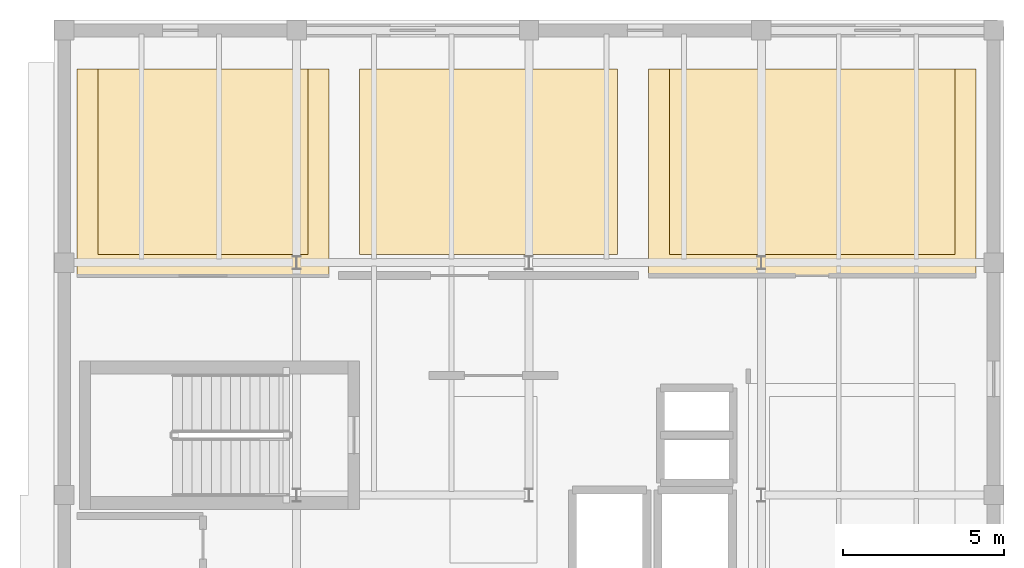
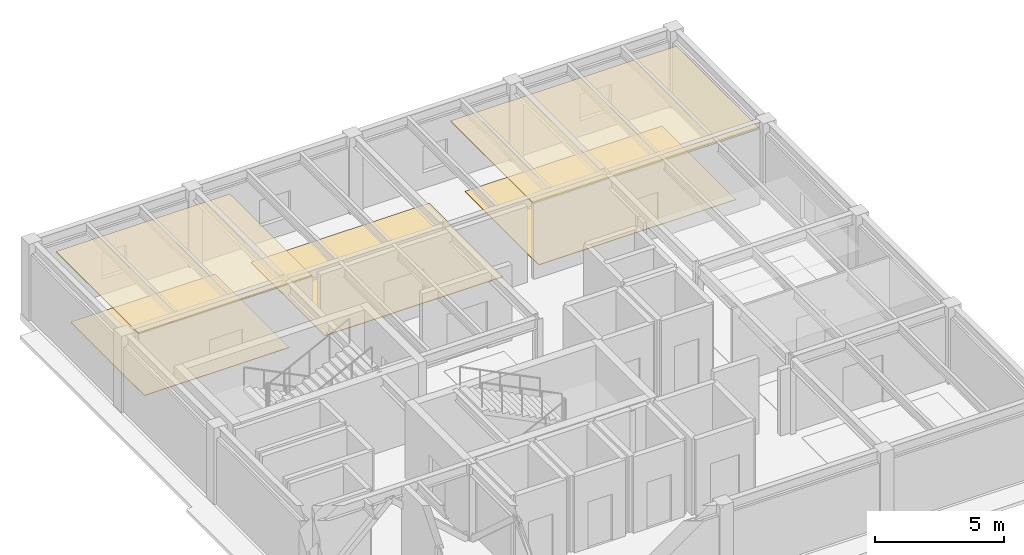
# One storey, part 8 of 8: 5 coverings.
"""IFC4 building model written with IfcOpenShell, lengths in metres."""

from ifc_helpers import new_model, si_unit, direction, frame, origin, place, context, subcontext, project, spatial, polyline, outline, extrude, material, layer, layer_set, type_object, element, save


model = new_model("IFC4")

# Units and contexts
model_context = context("Model", 3, precision=1e-05, world=origin(), true_north=direction((0.0, 1.0)))
body_context = subcontext(model_context, "Body", "Model", "MODEL_VIEW")
ifc_project = project(units=[si_unit("LENGTHUNIT", "METRE"), si_unit("AREAUNIT", "SQUARE_METRE"), si_unit("VOLUMEUNIT", "CUBIC_METRE"), si_unit("PLANEANGLEUNIT", "RADIAN"), si_unit("MASSUNIT", "GRAM", prefix="KILO")], contexts=[model_context])

# Site, building, storey
site_placement = place(None, origin())
site = spatial("IfcSite", under=ifc_project, at=site_placement, CompositionType="ELEMENT")
building_placement = place(site_placement, origin())
building = spatial("IfcBuilding", under=site, at=building_placement, Name="Kandorven Conservatory and Botanical Research Centre", CompositionType="ELEMENT")
storey_placement = place(building_placement, frame((0.0, 0.0, 36.60009765625)))
storey = spatial("IfcBuildingStorey", under=building, at=storey_placement, Name="L09", CompositionType="ELEMENT", Elevation=36.60009765625)

# Coverings
ifc_material_1 = material(Name="Perforated mineral-fibre acoustic ceiling tile", Category="gypsum")
ifc_layer_1 = layer(ifc_material_1, 0.0400390625)
ifc_layer_set_1 = layer_set([ifc_layer_1], Name="Perforated mineral-fibre acoustic ceiling tile")
covering_type_1 = type_object("IfcCoveringType", Name="Cov_Ceiling_1", PredefinedType="CEILING", material=ifc_layer_set_1)
covering_1_placement = place(storey_placement, frame((0.0, 0.0, 3.559814453125)))
element("IfcCovering", 1, at=covering_1_placement, inside=storey, type_object=covering_type_1, Name="Suspended acoustic ceiling CLG-01 (Ethnobotany Field Specimen Studio L09)", PredefinedType="CEILING", context=body_context, shape_type="SweptSolid", body=[
    extrude(outline(polyline([(6.39990234375, 27.199951171875), (14.199951171875, 27.199951171875), (14.199951171875, 33.60009765625), (6.39990234375, 33.60009765625), (6.39990234375, 27.199951171875)])), origin(), (0.0, 0.0, 1.0), 0.0400390625),
])
covering_2_placement = place(storey_placement, frame((0.0, 0.0, 3.559814453125)))
element("IfcCovering", 2, at=covering_2_placement, inside=storey, type_object=covering_type_1, Name="Suspended acoustic ceiling CLG-01 (Palynology Research Laboratory L09)", PredefinedType="CEILING", context=body_context, shape_type="SweptSolid", body=[
    extrude(outline(polyline([(24.10009765625, 27.199951171875), (34.25, 27.199951171875), (34.25, 33.60009765625), (24.10009765625, 33.60009765625), (24.10009765625, 27.199951171875)])), origin(), (0.0, 0.0, 1.0), 0.0400390625),
])
ifc_material_2 = material(Name="Honed Kota stone and epoxy laboratory flooring", Category="masonry")
ifc_layer_2 = layer(ifc_material_2, 0.02490234375)
ifc_layer_set_2 = layer_set([ifc_layer_2], Name="Honed Kota stone and epoxy laboratory flooring")
covering_type_2 = type_object("IfcCoveringType", Name="Cov_Flooring_1", PredefinedType="FLOORING", material=ifc_layer_set_2)
covering_3_placement = place(storey_placement, origin())
element("IfcCovering", 3, at=covering_3_placement, inside=storey, type_object=covering_type_2, Name="Floor finish FLR-01 (Ethnobotany Field Specimen Studio L09)", PredefinedType="FLOORING", context=body_context, shape_type="SweptSolid", body=[
    extrude(outline(polyline([(7.050048828125, 27.85009765625), (13.550048828125, 27.85009765625), (13.550048828125, 33.60009765625), (7.050048828125, 33.60009765625), (7.050048828125, 27.85009765625)])), origin(), (0.0, 0.0, 1.0), 0.02490234375),
])
covering_4_placement = place(storey_placement, origin())
element("IfcCovering", 4, at=covering_4_placement, inside=storey, type_object=covering_type_2, Name="Floor finish FLR-01 (Herbarium Cryptogamic Collection Archive L09)", PredefinedType="FLOORING", context=body_context, shape_type="SweptSolid", body=[
    extrude(outline(polyline([(15.14990234375, 27.85009765625), (23.14990234375, 27.85009765625), (23.14990234375, 33.60009765625), (15.14990234375, 33.60009765625), (15.14990234375, 27.85009765625)])), origin(), (0.0, 0.0, 1.0), 0.02490234375),
])
covering_5_placement = place(storey_placement, origin())
element("IfcCovering", 5, at=covering_5_placement, inside=storey, type_object=covering_type_2, Name="Floor finish FLR-01 (Palynology Research Laboratory L09)", PredefinedType="FLOORING", context=body_context, shape_type="SweptSolid", body=[
    extrude(outline(polyline([(24.75, 27.85009765625), (33.60009765625, 27.85009765625), (33.60009765625, 33.60009765625), (24.75, 33.60009765625), (24.75, 27.85009765625)])), origin(), (0.0, 0.0, 1.0), 0.02490234375),
])

save(model, "model.ifc")
